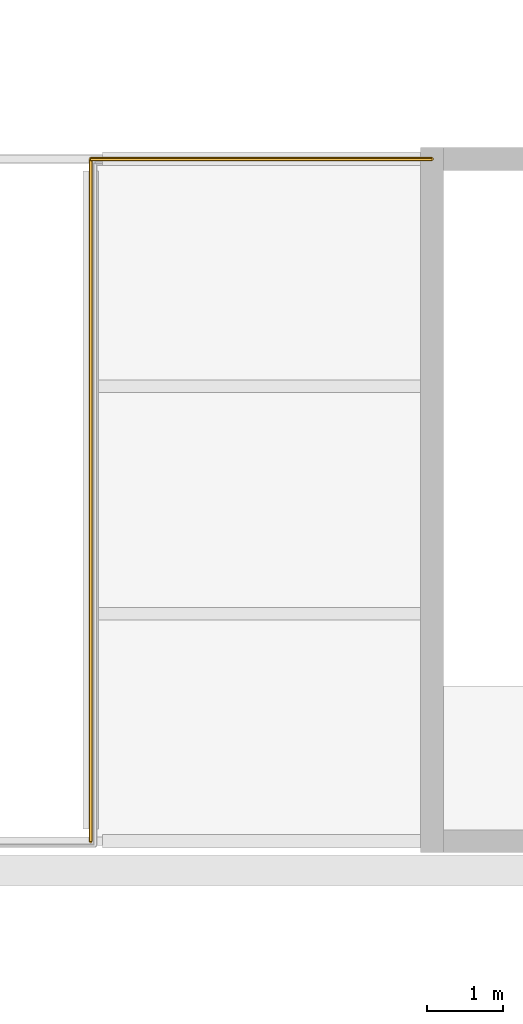
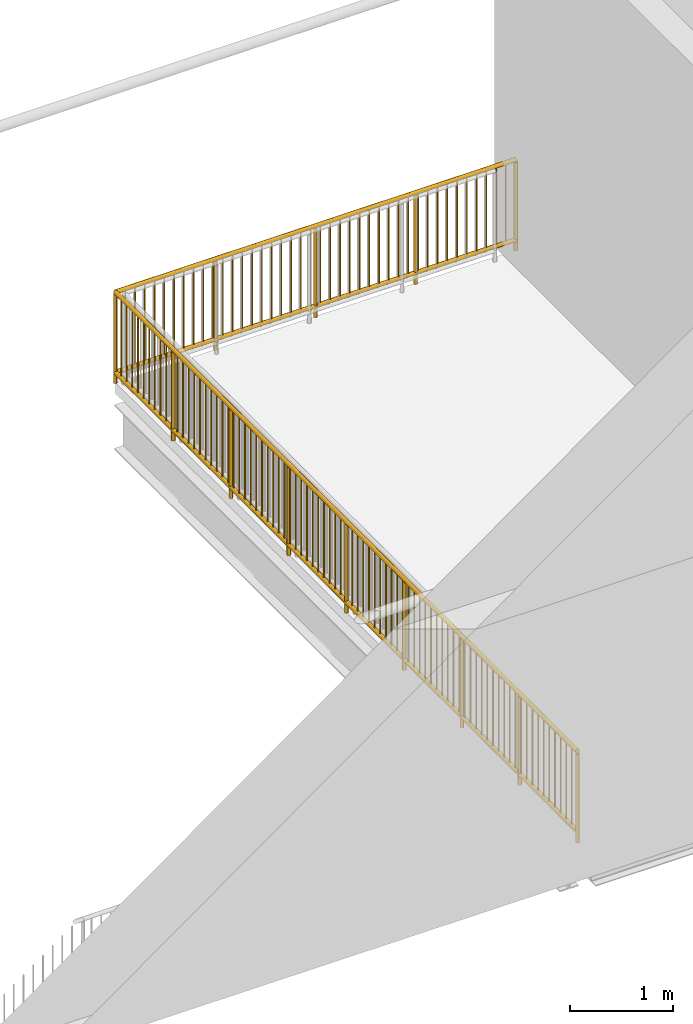
# One storey, part 56 of 59: 2 railings.
"""IFC4 building model written with IfcOpenShell, lengths in metres."""

from ifc_helpers import new_model, si_unit, direction, frame, origin, origin_2d, place, context, subcontext, project, spatial, circle, extrude, material, type_object, element, save


model = new_model("IFC4")

# Units and contexts
model_context = context("Model", 3, precision=1e-05, world=origin(), true_north=direction((0.0, 1.0)))
body_context = subcontext(model_context, "Body", "Model", "MODEL_VIEW")
ifc_project = project(units=[si_unit("LENGTHUNIT", "METRE"), si_unit("AREAUNIT", "SQUARE_METRE"), si_unit("VOLUMEUNIT", "CUBIC_METRE"), si_unit("PLANEANGLEUNIT", "RADIAN"), si_unit("MASSUNIT", "GRAM", prefix="KILO")], contexts=[model_context])

# Site, building, storey
site_placement = place(None, origin())
site = spatial("IfcSite", under=ifc_project, at=site_placement, CompositionType="ELEMENT")
building_placement = place(site_placement, origin())
building = spatial("IfcBuilding", under=site, at=building_placement, Name="Hortulan Conservatory and Botanical Research Centre", CompositionType="ELEMENT")
storey_placement = place(building_placement, frame((0.0, 0.0, 10.5)))
storey = spatial("IfcBuildingStorey", under=building, at=storey_placement, Name="L02", CompositionType="ELEMENT", Elevation=10.5)

# Railings
ifc_material = material(Name="Wrought iron guard, bronze-charcoal paint", Category="metal")
railing_type = type_object("IfcRailingType", Name="Fly Gallery Guard 1100", PredefinedType="GUARDRAIL", material=ifc_material)
railing_1_placement = place(storey_placement, frame((99.0, 36.0, 0.0)))
element("IfcRailing", 1, at=railing_1_placement, inside=storey, type_object=railing_type, Name="Fly gallery guard L02 stage side", PredefinedType="GUARDRAIL", context=body_context, shape_type="SweptSolid", body=[
    extrude(circle(Radius=0.02392578125, at=origin_2d()), frame((0.0, 0.0, 1.076171875), z_axis=(0.0, 1.0, 0.0), x_axis=(-1.0, 0.0, 0.0)), (0.0, 0.0, 1.0), 9.0),
    extrude(circle(Radius=0.02392578125, at=origin_2d()), frame((0.0, 0.0, 0.1240234375), z_axis=(0.0, 1.0, 0.0), x_axis=(-1.0, 0.0, 0.0)), (0.0, 0.0, 1.0), 9.0),
    extrude(circle(Radius=0.008056640625, at=origin_2d()), frame((0.0, 0.10986328125, 0.148193359375)), (0.0, 0.0, 1.0), 0.90380859375),
    extrude(circle(Radius=0.008056640625, at=origin_2d()), frame((0.0, 0.219482421875, 0.148193359375)), (0.0, 0.0, 1.0), 0.90380859375),
    extrude(circle(Radius=0.008056640625, at=origin_2d()), frame((0.0, 0.329345703125, 0.148193359375)), (0.0, 0.0, 1.0), 0.90380859375),
    extrude(circle(Radius=0.008056640625, at=origin_2d()), frame((0.0, 0.43896484375, 0.148193359375)), (0.0, 0.0, 1.0), 0.90380859375),
    extrude(circle(Radius=0.008056640625, at=origin_2d()), frame((0.0, 0.548828125, 0.148193359375)), (0.0, 0.0, 1.0), 0.90380859375),
    extrude(circle(Radius=0.008056640625, at=origin_2d()), frame((0.0, 0.658447265625, 0.148193359375)), (0.0, 0.0, 1.0), 0.90380859375),
    extrude(circle(Radius=0.008056640625, at=origin_2d()), frame((0.0, 0.768310546875, 0.148193359375)), (0.0, 0.0, 1.0), 0.90380859375),
    extrude(circle(Radius=0.008056640625, at=origin_2d()), frame((0.0, 0.8779296875, 0.148193359375)), (0.0, 0.0, 1.0), 0.90380859375),
    extrude(circle(Radius=0.008056640625, at=origin_2d()), frame((0.0, 0.98779296875, 0.148193359375)), (0.0, 0.0, 1.0), 0.90380859375),
    extrude(circle(Radius=0.008056640625, at=origin_2d()), frame((0.0, 1.09765625, 0.148193359375)), (0.0, 0.0, 1.0), 0.90380859375),
    extrude(circle(Radius=0.008056640625, at=origin_2d()), frame((0.0, 1.207275390625, 0.148193359375)), (0.0, 0.0, 1.0), 0.90380859375),
    extrude(circle(Radius=0.008056640625, at=origin_2d()), frame((0.0, 1.317138671875, 0.148193359375)), (0.0, 0.0, 1.0), 0.90380859375),
    extrude(circle(Radius=0.008056640625, at=origin_2d()), frame((0.0, 1.4267578125, 0.148193359375)), (0.0, 0.0, 1.0), 0.90380859375),
    extrude(circle(Radius=0.008056640625, at=origin_2d()), frame((0.0, 1.53662109375, 0.148193359375)), (0.0, 0.0, 1.0), 0.90380859375),
    extrude(circle(Radius=0.008056640625, at=origin_2d()), frame((0.0, 1.646240234375, 0.148193359375)), (0.0, 0.0, 1.0), 0.90380859375),
    extrude(circle(Radius=0.008056640625, at=origin_2d()), frame((0.0, 1.756103515625, 0.148193359375)), (0.0, 0.0, 1.0), 0.90380859375),
    extrude(circle(Radius=0.008056640625, at=origin_2d()), frame((0.0, 1.865966796875, 0.148193359375)), (0.0, 0.0, 1.0), 0.90380859375),
    extrude(circle(Radius=0.008056640625, at=origin_2d()), frame((0.0, 1.9755859375, 0.148193359375)), (0.0, 0.0, 1.0), 0.90380859375),
    extrude(circle(Radius=0.008056640625, at=origin_2d()), frame((0.0, 2.08544921875, 0.148193359375)), (0.0, 0.0, 1.0), 0.90380859375),
    extrude(circle(Radius=0.008056640625, at=origin_2d()), frame((0.0, 2.195068359375, 0.148193359375)), (0.0, 0.0, 1.0), 0.90380859375),
    extrude(circle(Radius=0.008056640625, at=origin_2d()), frame((0.0, 2.304931640625, 0.148193359375)), (0.0, 0.0, 1.0), 0.90380859375),
    extrude(circle(Radius=0.008056640625, at=origin_2d()), frame((0.0, 2.41455078125, 0.148193359375)), (0.0, 0.0, 1.0), 0.90380859375),
    extrude(circle(Radius=0.008056640625, at=origin_2d()), frame((0.0, 2.5244140625, 0.148193359375)), (0.0, 0.0, 1.0), 0.90380859375),
    extrude(circle(Radius=0.008056640625, at=origin_2d()), frame((0.0, 2.634033203125, 0.148193359375)), (0.0, 0.0, 1.0), 0.90380859375),
    extrude(circle(Radius=0.008056640625, at=origin_2d()), frame((0.0, 2.743896484375, 0.148193359375)), (0.0, 0.0, 1.0), 0.90380859375),
    extrude(circle(Radius=0.008056640625, at=origin_2d()), frame((0.0, 2.853759765625, 0.148193359375)), (0.0, 0.0, 1.0), 0.90380859375),
    extrude(circle(Radius=0.008056640625, at=origin_2d()), frame((0.0, 2.96337890625, 0.148193359375)), (0.0, 0.0, 1.0), 0.90380859375),
    extrude(circle(Radius=0.008056640625, at=origin_2d()), frame((0.0, 3.0732421875, 0.148193359375)), (0.0, 0.0, 1.0), 0.90380859375),
    extrude(circle(Radius=0.008056640625, at=origin_2d()), frame((0.0, 3.182861328125, 0.148193359375)), (0.0, 0.0, 1.0), 0.90380859375),
    extrude(circle(Radius=0.008056640625, at=origin_2d()), frame((0.0, 3.292724609375, 0.148193359375)), (0.0, 0.0, 1.0), 0.90380859375),
    extrude(circle(Radius=0.008056640625, at=origin_2d()), frame((0.0, 3.40234375, 0.148193359375)), (0.0, 0.0, 1.0), 0.90380859375),
    extrude(circle(Radius=0.008056640625, at=origin_2d()), frame((0.0, 3.51220703125, 0.148193359375)), (0.0, 0.0, 1.0), 0.90380859375),
    extrude(circle(Radius=0.008056640625, at=origin_2d()), frame((0.0, 3.6220703125, 0.148193359375)), (0.0, 0.0, 1.0), 0.90380859375),
    extrude(circle(Radius=0.008056640625, at=origin_2d()), frame((0.0, 3.731689453125, 0.148193359375)), (0.0, 0.0, 1.0), 0.90380859375),
    extrude(circle(Radius=0.008056640625, at=origin_2d()), frame((0.0, 3.841552734375, 0.148193359375)), (0.0, 0.0, 1.0), 0.90380859375),
    extrude(circle(Radius=0.008056640625, at=origin_2d()), frame((0.0, 3.951171875, 0.148193359375)), (0.0, 0.0, 1.0), 0.90380859375),
    extrude(circle(Radius=0.008056640625, at=origin_2d()), frame((0.0, 4.06103515625, 0.148193359375)), (0.0, 0.0, 1.0), 0.90380859375),
    extrude(circle(Radius=0.008056640625, at=origin_2d()), frame((0.0, 4.170654296875, 0.148193359375)), (0.0, 0.0, 1.0), 0.90380859375),
    extrude(circle(Radius=0.008056640625, at=origin_2d()), frame((0.0, 4.280517578125, 0.148193359375)), (0.0, 0.0, 1.0), 0.90380859375),
    extrude(circle(Radius=0.008056640625, at=origin_2d()), frame((0.0, 4.39013671875, 0.148193359375)), (0.0, 0.0, 1.0), 0.90380859375),
    extrude(circle(Radius=0.008056640625, at=origin_2d()), frame((0.0, 4.5, 0.148193359375)), (0.0, 0.0, 1.0), 0.90380859375),
    extrude(circle(Radius=0.008056640625, at=origin_2d()), frame((0.0, 4.60986328125, 0.148193359375)), (0.0, 0.0, 1.0), 0.90380859375),
    extrude(circle(Radius=0.008056640625, at=origin_2d()), frame((0.0, 4.719482421875, 0.148193359375)), (0.0, 0.0, 1.0), 0.90380859375),
    extrude(circle(Radius=0.008056640625, at=origin_2d()), frame((0.0, 4.829345703125, 0.148193359375)), (0.0, 0.0, 1.0), 0.90380859375),
    extrude(circle(Radius=0.008056640625, at=origin_2d()), frame((0.0, 4.93896484375, 0.148193359375)), (0.0, 0.0, 1.0), 0.90380859375),
    extrude(circle(Radius=0.008056640625, at=origin_2d()), frame((0.0, 5.048828125, 0.148193359375)), (0.0, 0.0, 1.0), 0.90380859375),
    extrude(circle(Radius=0.008056640625, at=origin_2d()), frame((0.0, 5.158447265625, 0.148193359375)), (0.0, 0.0, 1.0), 0.90380859375),
    extrude(circle(Radius=0.008056640625, at=origin_2d()), frame((0.0, 5.268310546875, 0.148193359375)), (0.0, 0.0, 1.0), 0.90380859375),
    extrude(circle(Radius=0.008056640625, at=origin_2d()), frame((0.0, 5.3779296875, 0.148193359375)), (0.0, 0.0, 1.0), 0.90380859375),
    extrude(circle(Radius=0.008056640625, at=origin_2d()), frame((0.0, 5.48779296875, 0.148193359375)), (0.0, 0.0, 1.0), 0.90380859375),
    extrude(circle(Radius=0.008056640625, at=origin_2d()), frame((0.0, 5.59765625, 0.148193359375)), (0.0, 0.0, 1.0), 0.90380859375),
    extrude(circle(Radius=0.008056640625, at=origin_2d()), frame((0.0, 5.707275390625, 0.148193359375)), (0.0, 0.0, 1.0), 0.90380859375),
    extrude(circle(Radius=0.008056640625, at=origin_2d()), frame((0.0, 5.817138671875, 0.148193359375)), (0.0, 0.0, 1.0), 0.90380859375),
    extrude(circle(Radius=0.008056640625, at=origin_2d()), frame((0.0, 5.9267578125, 0.148193359375)), (0.0, 0.0, 1.0), 0.90380859375),
    extrude(circle(Radius=0.008056640625, at=origin_2d()), frame((0.0, 6.03662109375, 0.148193359375)), (0.0, 0.0, 1.0), 0.90380859375),
    extrude(circle(Radius=0.008056640625, at=origin_2d()), frame((0.0, 6.146240234375, 0.148193359375)), (0.0, 0.0, 1.0), 0.90380859375),
    extrude(circle(Radius=0.008056640625, at=origin_2d()), frame((0.0, 6.256103515625, 0.148193359375)), (0.0, 0.0, 1.0), 0.90380859375),
    extrude(circle(Radius=0.008056640625, at=origin_2d()), frame((0.0, 6.365966796875, 0.148193359375)), (0.0, 0.0, 1.0), 0.90380859375),
    extrude(circle(Radius=0.008056640625, at=origin_2d()), frame((0.0, 6.4755859375, 0.148193359375)), (0.0, 0.0, 1.0), 0.90380859375),
    extrude(circle(Radius=0.008056640625, at=origin_2d()), frame((0.0, 6.58544921875, 0.148193359375)), (0.0, 0.0, 1.0), 0.90380859375),
    extrude(circle(Radius=0.008056640625, at=origin_2d()), frame((0.0, 6.695068359375, 0.148193359375)), (0.0, 0.0, 1.0), 0.90380859375),
    extrude(circle(Radius=0.008056640625, at=origin_2d()), frame((0.0, 6.804931640625, 0.148193359375)), (0.0, 0.0, 1.0), 0.90380859375),
    extrude(circle(Radius=0.008056640625, at=origin_2d()), frame((0.0, 6.91455078125, 0.148193359375)), (0.0, 0.0, 1.0), 0.90380859375),
    extrude(circle(Radius=0.008056640625, at=origin_2d()), frame((0.0, 7.0244140625, 0.148193359375)), (0.0, 0.0, 1.0), 0.90380859375),
    extrude(circle(Radius=0.008056640625, at=origin_2d()), frame((0.0, 7.134033203125, 0.148193359375)), (0.0, 0.0, 1.0), 0.90380859375),
    extrude(circle(Radius=0.008056640625, at=origin_2d()), frame((0.0, 7.243896484375, 0.148193359375)), (0.0, 0.0, 1.0), 0.90380859375),
    extrude(circle(Radius=0.008056640625, at=origin_2d()), frame((0.0, 7.353759765625, 0.148193359375)), (0.0, 0.0, 1.0), 0.90380859375),
    extrude(circle(Radius=0.008056640625, at=origin_2d()), frame((0.0, 7.46337890625, 0.148193359375)), (0.0, 0.0, 1.0), 0.90380859375),
    extrude(circle(Radius=0.008056640625, at=origin_2d()), frame((0.0, 7.5732421875, 0.148193359375)), (0.0, 0.0, 1.0), 0.90380859375),
    extrude(circle(Radius=0.008056640625, at=origin_2d()), frame((0.0, 7.682861328125, 0.148193359375)), (0.0, 0.0, 1.0), 0.90380859375),
    extrude(circle(Radius=0.008056640625, at=origin_2d()), frame((0.0, 7.792724609375, 0.148193359375)), (0.0, 0.0, 1.0), 0.90380859375),
    extrude(circle(Radius=0.008056640625, at=origin_2d()), frame((0.0, 7.90234375, 0.148193359375)), (0.0, 0.0, 1.0), 0.90380859375),
    extrude(circle(Radius=0.008056640625, at=origin_2d()), frame((0.0, 8.01220703125, 0.148193359375)), (0.0, 0.0, 1.0), 0.90380859375),
    extrude(circle(Radius=0.008056640625, at=origin_2d()), frame((0.0, 8.1220703125, 0.148193359375)), (0.0, 0.0, 1.0), 0.90380859375),
    extrude(circle(Radius=0.008056640625, at=origin_2d()), frame((0.0, 8.231689453125, 0.148193359375)), (0.0, 0.0, 1.0), 0.90380859375),
    extrude(circle(Radius=0.008056640625, at=origin_2d()), frame((0.0, 8.341552734375, 0.148193359375)), (0.0, 0.0, 1.0), 0.90380859375),
    extrude(circle(Radius=0.008056640625, at=origin_2d()), frame((0.0, 8.451171875, 0.148193359375)), (0.0, 0.0, 1.0), 0.90380859375),
    extrude(circle(Radius=0.008056640625, at=origin_2d()), frame((0.0, 8.56103515625, 0.148193359375)), (0.0, 0.0, 1.0), 0.90380859375),
    extrude(circle(Radius=0.008056640625, at=origin_2d()), frame((0.0, 8.670654296875, 0.148193359375)), (0.0, 0.0, 1.0), 0.90380859375),
    extrude(circle(Radius=0.008056640625, at=origin_2d()), frame((0.0, 8.780517578125, 0.148193359375)), (0.0, 0.0, 1.0), 0.90380859375),
    extrude(circle(Radius=0.008056640625, at=origin_2d()), frame((0.0, 8.89013671875, 0.148193359375)), (0.0, 0.0, 1.0), 0.90380859375),
    extrude(circle(Radius=0.02099609375, at=origin_2d()), origin(), (0.0, 0.0, 1.0), 1.052001953125),
    extrude(circle(Radius=0.02099609375, at=origin_2d()), frame((0.0, 1.125, 0.0)), (0.0, 0.0, 1.0), 1.052001953125),
    extrude(circle(Radius=0.02099609375, at=origin_2d()), frame((0.0, 2.25, 0.0)), (0.0, 0.0, 1.0), 1.052001953125),
    extrude(circle(Radius=0.02099609375, at=origin_2d()), frame((0.0, 3.375, 0.0)), (0.0, 0.0, 1.0), 1.052001953125),
    extrude(circle(Radius=0.02099609375, at=origin_2d()), frame((0.0, 4.5, 0.0)), (0.0, 0.0, 1.0), 1.052001953125),
    extrude(circle(Radius=0.02099609375, at=origin_2d()), frame((0.0, 5.625, 0.0)), (0.0, 0.0, 1.0), 1.052001953125),
    extrude(circle(Radius=0.02099609375, at=origin_2d()), frame((0.0, 6.75, 0.0)), (0.0, 0.0, 1.0), 1.052001953125),
    extrude(circle(Radius=0.02099609375, at=origin_2d()), frame((0.0, 7.875, 0.0)), (0.0, 0.0, 1.0), 1.052001953125),
    extrude(circle(Radius=0.02099609375, at=origin_2d()), frame((0.0, 9.0, 0.0)), (0.0, 0.0, 1.0), 1.052001953125),
])
railing_2_placement = place(storey_placement, frame((99.0, 45.0, 0.0)))
element("IfcRailing", 2, at=railing_2_placement, inside=storey, type_object=railing_type, Name="Fly gallery guard L02 north edge", PredefinedType="GUARDRAIL", context=body_context, shape_type="SweptSolid", body=[
    extrude(circle(Radius=0.02392578125, at=origin_2d()), frame((0.0, 0.0, 1.076171875), z_axis=(1.0, 0.0, 0.0), x_axis=(0.0, 1.0, 0.0)), (0.0, 0.0, 1.0), 4.5),
    extrude(circle(Radius=0.02392578125, at=origin_2d()), frame((0.0, 0.0, 0.1240234375), z_axis=(1.0, 0.0, 0.0), x_axis=(0.0, 1.0, 0.0)), (0.0, 0.0, 1.0), 4.5),
    extrude(circle(Radius=0.008056640625, at=origin_2d()), frame((0.10986328125, 0.0, 0.148193359375)), (0.0, 0.0, 1.0), 0.90380859375),
    extrude(circle(Radius=0.008056640625, at=origin_2d()), frame((0.219482421875, 0.0, 0.148193359375)), (0.0, 0.0, 1.0), 0.90380859375),
    extrude(circle(Radius=0.008056640625, at=origin_2d()), frame((0.329345703125, 0.0, 0.148193359375)), (0.0, 0.0, 1.0), 0.90380859375),
    extrude(circle(Radius=0.008056640625, at=origin_2d()), frame((0.43896484375, 0.0, 0.148193359375)), (0.0, 0.0, 1.0), 0.90380859375),
    extrude(circle(Radius=0.008056640625, at=origin_2d()), frame((0.548828125, 0.0, 0.148193359375)), (0.0, 0.0, 1.0), 0.90380859375),
    extrude(circle(Radius=0.008056640625, at=origin_2d()), frame((0.658447265625, 0.0, 0.148193359375)), (0.0, 0.0, 1.0), 0.90380859375),
    extrude(circle(Radius=0.008056640625, at=origin_2d()), frame((0.768310546875, 0.0, 0.148193359375)), (0.0, 0.0, 1.0), 0.90380859375),
    extrude(circle(Radius=0.008056640625, at=origin_2d()), frame((0.8779296875, 0.0, 0.148193359375)), (0.0, 0.0, 1.0), 0.90380859375),
    extrude(circle(Radius=0.008056640625, at=origin_2d()), frame((0.98779296875, 0.0, 0.148193359375)), (0.0, 0.0, 1.0), 0.90380859375),
    extrude(circle(Radius=0.008056640625, at=origin_2d()), frame((1.09765625, 0.0, 0.148193359375)), (0.0, 0.0, 1.0), 0.90380859375),
    extrude(circle(Radius=0.008056640625, at=origin_2d()), frame((1.207275390625, 0.0, 0.148193359375)), (0.0, 0.0, 1.0), 0.90380859375),
    extrude(circle(Radius=0.008056640625, at=origin_2d()), frame((1.317138671875, 0.0, 0.148193359375)), (0.0, 0.0, 1.0), 0.90380859375),
    extrude(circle(Radius=0.008056640625, at=origin_2d()), frame((1.4267578125, 0.0, 0.148193359375)), (0.0, 0.0, 1.0), 0.90380859375),
    extrude(circle(Radius=0.008056640625, at=origin_2d()), frame((1.53662109375, 0.0, 0.148193359375)), (0.0, 0.0, 1.0), 0.90380859375),
    extrude(circle(Radius=0.008056640625, at=origin_2d()), frame((1.646240234375, 0.0, 0.148193359375)), (0.0, 0.0, 1.0), 0.90380859375),
    extrude(circle(Radius=0.008056640625, at=origin_2d()), frame((1.756103515625, 0.0, 0.148193359375)), (0.0, 0.0, 1.0), 0.90380859375),
    extrude(circle(Radius=0.008056640625, at=origin_2d()), frame((1.865966796875, 0.0, 0.148193359375)), (0.0, 0.0, 1.0), 0.90380859375),
    extrude(circle(Radius=0.008056640625, at=origin_2d()), frame((1.9755859375, 0.0, 0.148193359375)), (0.0, 0.0, 1.0), 0.90380859375),
    extrude(circle(Radius=0.008056640625, at=origin_2d()), frame((2.08544921875, 0.0, 0.148193359375)), (0.0, 0.0, 1.0), 0.90380859375),
    extrude(circle(Radius=0.008056640625, at=origin_2d()), frame((2.195068359375, 0.0, 0.148193359375)), (0.0, 0.0, 1.0), 0.90380859375),
    extrude(circle(Radius=0.008056640625, at=origin_2d()), frame((2.304931640625, 0.0, 0.148193359375)), (0.0, 0.0, 1.0), 0.90380859375),
    extrude(circle(Radius=0.008056640625, at=origin_2d()), frame((2.41455078125, 0.0, 0.148193359375)), (0.0, 0.0, 1.0), 0.90380859375),
    extrude(circle(Radius=0.008056640625, at=origin_2d()), frame((2.5244140625, 0.0, 0.148193359375)), (0.0, 0.0, 1.0), 0.90380859375),
    extrude(circle(Radius=0.008056640625, at=origin_2d()), frame((2.634033203125, 0.0, 0.148193359375)), (0.0, 0.0, 1.0), 0.90380859375),
    extrude(circle(Radius=0.008056640625, at=origin_2d()), frame((2.743896484375, 0.0, 0.148193359375)), (0.0, 0.0, 1.0), 0.90380859375),
    extrude(circle(Radius=0.008056640625, at=origin_2d()), frame((2.853759765625, 0.0, 0.148193359375)), (0.0, 0.0, 1.0), 0.90380859375),
    extrude(circle(Radius=0.008056640625, at=origin_2d()), frame((2.96337890625, 0.0, 0.148193359375)), (0.0, 0.0, 1.0), 0.90380859375),
    extrude(circle(Radius=0.008056640625, at=origin_2d()), frame((3.0732421875, 0.0, 0.148193359375)), (0.0, 0.0, 1.0), 0.90380859375),
    extrude(circle(Radius=0.008056640625, at=origin_2d()), frame((3.182861328125, 0.0, 0.148193359375)), (0.0, 0.0, 1.0), 0.90380859375),
    extrude(circle(Radius=0.008056640625, at=origin_2d()), frame((3.292724609375, 0.0, 0.148193359375)), (0.0, 0.0, 1.0), 0.90380859375),
    extrude(circle(Radius=0.008056640625, at=origin_2d()), frame((3.40234375, 0.0, 0.148193359375)), (0.0, 0.0, 1.0), 0.90380859375),
    extrude(circle(Radius=0.008056640625, at=origin_2d()), frame((3.51220703125, 0.0, 0.148193359375)), (0.0, 0.0, 1.0), 0.90380859375),
    extrude(circle(Radius=0.008056640625, at=origin_2d()), frame((3.6220703125, 0.0, 0.148193359375)), (0.0, 0.0, 1.0), 0.90380859375),
    extrude(circle(Radius=0.008056640625, at=origin_2d()), frame((3.731689453125, 0.0, 0.148193359375)), (0.0, 0.0, 1.0), 0.90380859375),
    extrude(circle(Radius=0.008056640625, at=origin_2d()), frame((3.841552734375, 0.0, 0.148193359375)), (0.0, 0.0, 1.0), 0.90380859375),
    extrude(circle(Radius=0.008056640625, at=origin_2d()), frame((3.951171875, 0.0, 0.148193359375)), (0.0, 0.0, 1.0), 0.90380859375),
    extrude(circle(Radius=0.008056640625, at=origin_2d()), frame((4.06103515625, 0.0, 0.148193359375)), (0.0, 0.0, 1.0), 0.90380859375),
    extrude(circle(Radius=0.008056640625, at=origin_2d()), frame((4.170654296875, 0.0, 0.148193359375)), (0.0, 0.0, 1.0), 0.90380859375),
    extrude(circle(Radius=0.008056640625, at=origin_2d()), frame((4.280517578125, 0.0, 0.148193359375)), (0.0, 0.0, 1.0), 0.90380859375),
    extrude(circle(Radius=0.008056640625, at=origin_2d()), frame((4.39013671875, 0.0, 0.148193359375)), (0.0, 0.0, 1.0), 0.90380859375),
    extrude(circle(Radius=0.02099609375, at=origin_2d()), origin(), (0.0, 0.0, 1.0), 1.052001953125),
    extrude(circle(Radius=0.02099609375, at=origin_2d()), frame((1.125, 0.0, 0.0)), (0.0, 0.0, 1.0), 1.052001953125),
    extrude(circle(Radius=0.02099609375, at=origin_2d()), frame((2.25, 0.0, 0.0)), (0.0, 0.0, 1.0), 1.052001953125),
    extrude(circle(Radius=0.02099609375, at=origin_2d()), frame((3.375, 0.0, 0.0)), (0.0, 0.0, 1.0), 1.052001953125),
    extrude(circle(Radius=0.02099609375, at=origin_2d()), frame((4.5, 0.0, 0.0)), (0.0, 0.0, 1.0), 1.052001953125),
])

save(model, "model.ifc")
